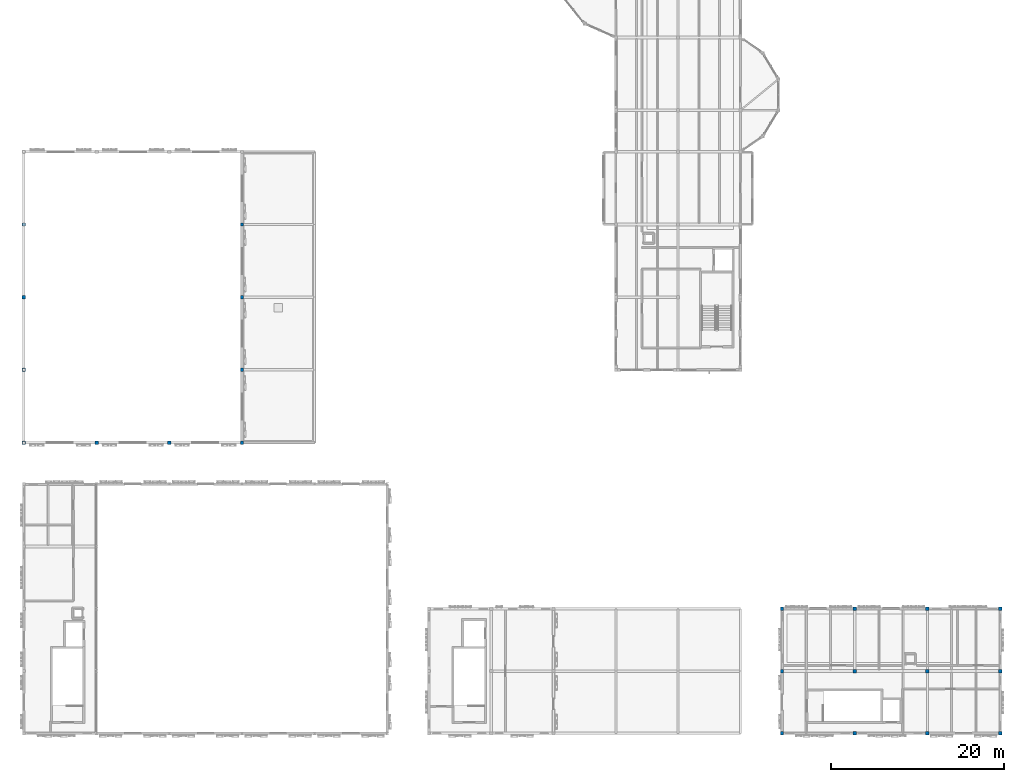
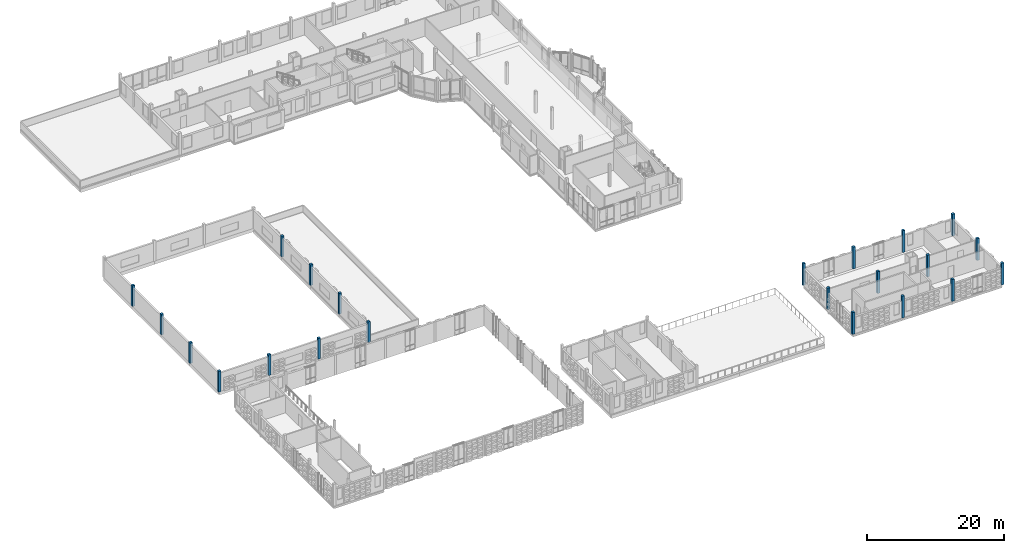
# One storey, part 3 of 57: 22 columns.
"""IFC4 building model written with IfcOpenShell, lengths in metres."""

from ifc_helpers import new_model, si_unit, direction, frame, origin, origin_2d, place, context, subcontext, project, spatial, rectangle, extrude, material, material_profile, profile_set, type_object, element, save


model = new_model("IFC4")

# Units and contexts
model_context = context("Model", 3, precision=1e-05, world=origin(), true_north=direction((0.0, 1.0)))
body_context = subcontext(model_context, "Body", "Model", "MODEL_VIEW")
ifc_project = project(units=[si_unit("LENGTHUNIT", "METRE"), si_unit("AREAUNIT", "SQUARE_METRE"), si_unit("VOLUMEUNIT", "CUBIC_METRE"), si_unit("PLANEANGLEUNIT", "RADIAN"), si_unit("MASSUNIT", "GRAM", prefix="KILO")], contexts=[model_context])

# Site, building, storey
site_placement = place(None, origin())
site = spatial("IfcSite", under=ifc_project, at=site_placement, CompositionType="ELEMENT")
building_placement = place(site_placement, origin())
building = spatial("IfcBuilding", under=site, at=building_placement, Name="Kahlenmark Community Centre", CompositionType="ELEMENT")
storey_placement = place(building_placement, frame((0.0, 0.0, 13.800048828125)))
storey = spatial("IfcBuildingStorey", under=building, at=storey_placement, Name="L03", CompositionType="ELEMENT", Elevation=13.800048828125)

# Columns
ifc_material = material(Name="Glulam GL32h", Category="wood")
ifc_material_profile = material_profile(ifc_material, rectangle(XDim=0.39990234375, YDim=0.39990234375, at=origin_2d()), Name="GL32h 400x400")
ifc_profile_set = profile_set([ifc_material_profile], Name="Glulam GL32h")
column_type = type_object("IfcColumnType", Name="CT-GL400", PredefinedType="COLUMN", material=ifc_profile_set)
for number, where, z_axis, x_axis, name in (
    (1, (4.0, 42.39990234375, 0.0), (0.0, 0.0, 1.0), (1.0, 0.0, 0.0), "L03 column (4.0, 42.4)"),
    (2, (4.0, 50.800048828125, 0.0), (0.0, 0.0, 1.0), (1.0, 0.0, 0.0), "L03 column (4.0, 50.8)"),
    (3, (4.0, 59.199951171875, 0.0), (0.0, 0.0, 1.0), (1.0, 0.0, 0.0), "L03 column (4.0, 59.2)"),
    (4, (4.0, 67.60009765625, 0.0), (0.0, 0.0, 1.0), (1.0, 0.0, 0.0), "L03 column (4.0, 67.6)"),
    (5, (12.39990234375, 42.39990234375, 0.0), (0.0, 0.0, 1.0), (1.0, 0.0, 0.0), "L03 column (12.4, 42.4)"),
    (6, (20.800048828125, 42.39990234375, 0.0), (0.0, 0.0, 1.0), (1.0, 0.0, 0.0), "L03 column (20.8, 42.4)"),
    (7, (29.199951171875, 42.39990234375, 0.0), (0.0, 0.0, 1.0), (1.0, 0.0, 0.0), "L03 column (29.2, 42.4)"),
    (8, (29.199951171875, 50.800048828125, 0.0), (0.0, 0.0, 1.0), (1.0, 0.0, 0.0), "L03 column (29.2, 50.8)"),
    (9, (29.199951171875, 59.199951171875, 0.0), (0.0, 0.0, 1.0), (1.0, 0.0, 0.0), "L03 column (29.2, 59.2)"),
    (10, (29.199951171875, 67.60009765625, 0.0), (0.0, 0.0, 1.0), (1.0, 0.0, 0.0), "L03 column (29.2, 67.6)"),
):
    element("IfcColumn", number, at=place(storey_placement, frame(where, z_axis=z_axis, x_axis=x_axis)), inside=storey, type_object=column_type, Name=name, PredefinedType="COLUMN", context=body_context, shape_type="SweptSolid", body=[
        extrude(rectangle(XDim=0.39990234375, YDim=0.39990234375, at=origin_2d()), origin(), (0.0, 0.0, 1.0), 3.699951171875),
    ])
for number, where, z_axis, x_axis, name in (
    (11, (91.60009765625, 8.800048828125, 0.0), (0.0, 0.0, 1.0), (1.0, 0.0, 0.0), "L03 column (91.6, 8.8)"),
    (12, (91.60009765625, 16.0, 0.0), (0.0, 0.0, 1.0), (1.0, 0.0, 0.0), "L03 column (91.6, 16.0)"),
    (13, (91.60009765625, 23.199951171875, 0.0), (0.0, 0.0, 1.0), (1.0, 0.0, 0.0), "L03 column (91.6, 23.2)"),
    (14, (100.0, 8.800048828125, 0.0), (0.0, 0.0, 1.0), (1.0, 0.0, 0.0), "L03 column (100.0, 8.8)"),
    (15, (100.0, 16.0, 0.0), (0.0, 0.0, 1.0), (1.0, 0.0, 0.0), "L03 column (100.0, 16.0)"),
    (16, (100.0, 23.199951171875, 0.0), (0.0, 0.0, 1.0), (1.0, 0.0, 0.0), "L03 column (100.0, 23.2)"),
    (17, (108.39990234375, 8.800048828125, 0.0), (0.0, 0.0, 1.0), (1.0, 0.0, 0.0), "L03 column (108.4, 8.8)"),
    (18, (108.39990234375, 16.0, 0.0), (0.0, 0.0, 1.0), (1.0, 0.0, 0.0), "L03 column (108.4, 16.0)"),
    (19, (108.39990234375, 23.199951171875, 0.0), (0.0, 0.0, 1.0), (1.0, 0.0, 0.0), "L03 column (108.4, 23.2)"),
    (20, (116.800048828125, 8.800048828125, 0.0), (0.0, 0.0, 1.0), (1.0, 0.0, 0.0), "L03 column (116.8, 8.8)"),
    (21, (116.800048828125, 16.0, 0.0), (0.0, 0.0, 1.0), (1.0, 0.0, 0.0), "L03 column (116.8, 16.0)"),
    (22, (116.800048828125, 23.199951171875, 0.0), (0.0, 0.0, 1.0), (1.0, 0.0, 0.0), "L03 column (116.8, 23.2)"),
):
    element("IfcColumn", number, at=place(storey_placement, frame(where, z_axis=z_axis, x_axis=x_axis)), inside=storey, type_object=column_type, Name=name, PredefinedType="COLUMN", context=body_context, shape_type="SweptSolid", body=[
        extrude(rectangle(XDim=0.39990234375, YDim=0.39990234375, at=origin_2d()), origin(), (0.0, 0.0, 1.0), 3.89990234375),
    ])

save(model, "model.ifc")
